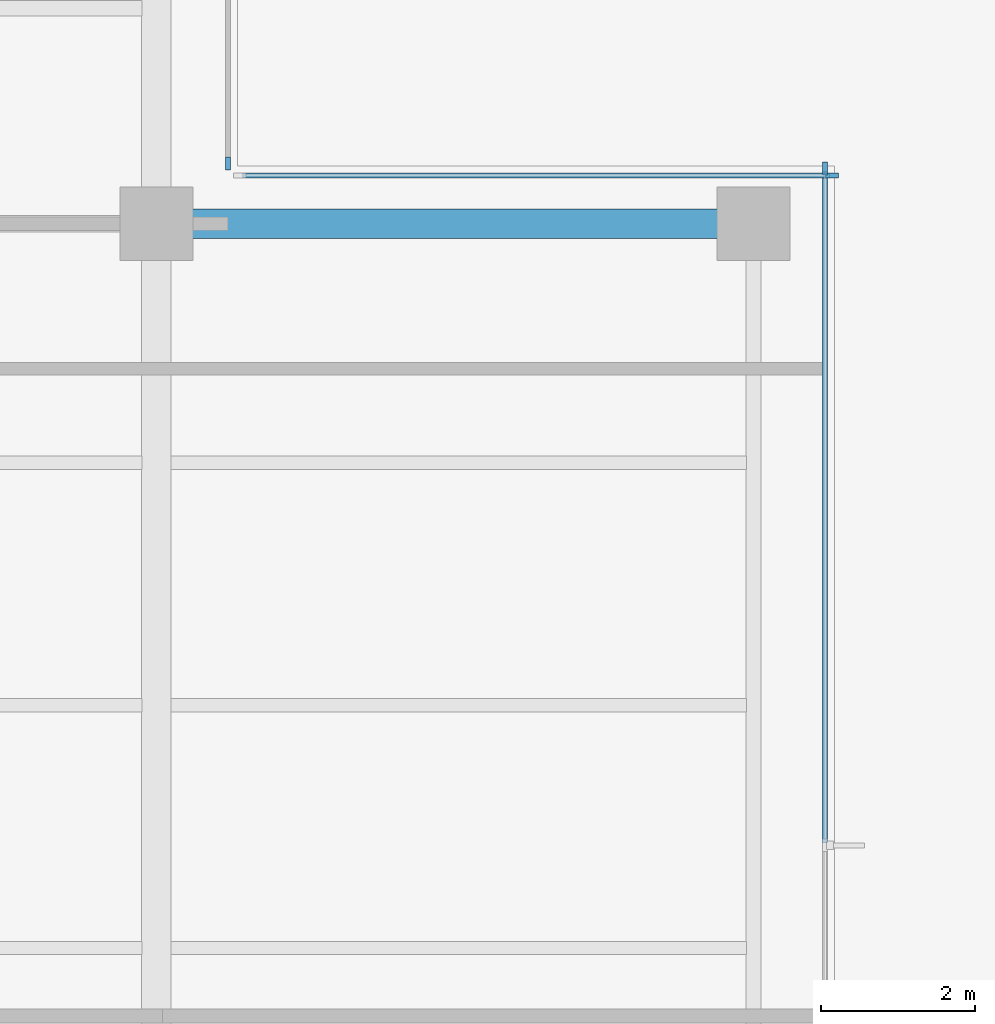
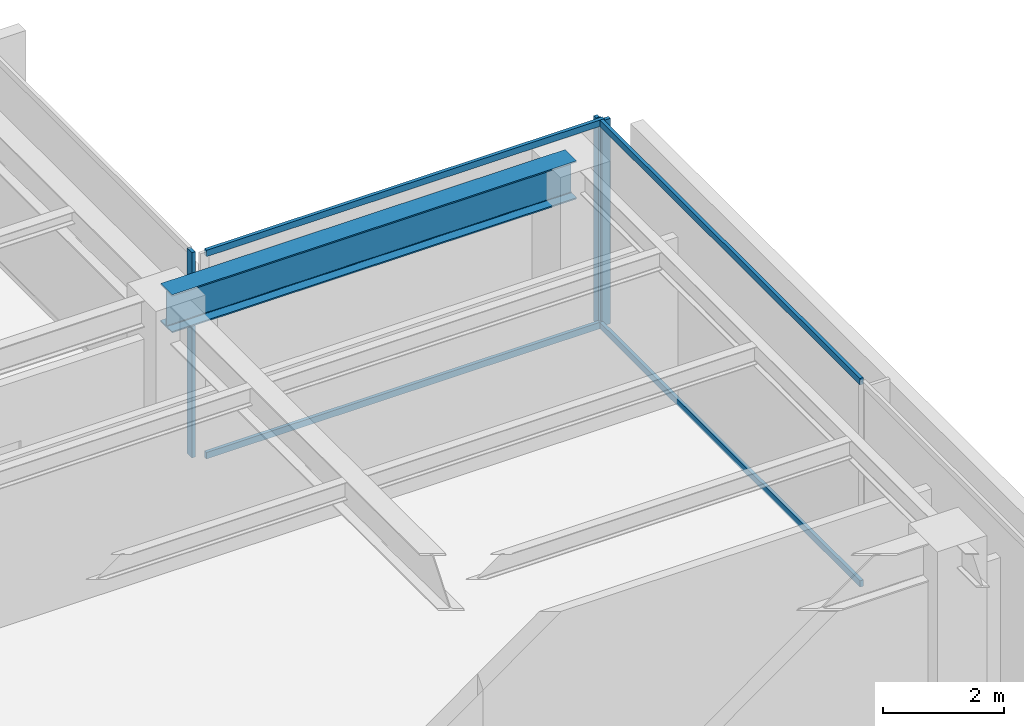
# One storey, part 4 of 14: 7 members, 1 beam, 3 elements without a shape of their own.
"""IFC4 building model written with IfcOpenShell, lengths in metres."""

from ifc_helpers import new_model, si_unit, direction, frame, origin, origin_2d, place, context, subcontext, project, spatial, rectangle, i_section, extrude, material, layer, layer_set, material_profile, profile_set, type_object, element, aggregate, save


model = new_model("IFC4")

# Units and contexts
model_context = context("Model", 3, precision=1e-05, world=origin(), true_north=direction((0.0, 1.0)))
body_context = subcontext(model_context, "Body", "Model", "MODEL_VIEW")
ifc_project = project(units=[si_unit("LENGTHUNIT", "METRE"), si_unit("AREAUNIT", "SQUARE_METRE"), si_unit("VOLUMEUNIT", "CUBIC_METRE"), si_unit("PLANEANGLEUNIT", "RADIAN"), si_unit("MASSUNIT", "GRAM", prefix="KILO")], contexts=[model_context])

# Site, building, storey
site_placement = place(None, origin())
site = spatial("IfcSite", under=ifc_project, at=site_placement, CompositionType="ELEMENT")
building_placement = place(site_placement, origin())
building = spatial("IfcBuilding", under=site, at=building_placement, Name="Qalmaran Belvedere Hotel", CompositionType="ELEMENT")
storey_placement = place(building_placement, frame((0.0, 0.0, 192.5)))
storey = spatial("IfcBuildingStorey", under=building, at=storey_placement, Name="L48", CompositionType="ELEMENT", Elevation=192.5)

# Beam
ifc_material_1 = material(Name="Steel S355JR", Category="steel")
ifc_material_profile_1 = material_profile(ifc_material_1, i_section(OverallWidth=0.381103515625, OverallDepth=0.77294921875, WebThickness=0.0166015625, FlangeThickness=0.027099609375, FilletRadius=0.02197265625, at=origin_2d()), Name="W760X257")
ifc_profile_set_1 = profile_set([ifc_material_profile_1], Name="Steel S355JR")
beam_type = type_object("IfcBeamType", Name="BM-PG4-W760X257", PredefinedType="USERDEFINED", material=ifc_profile_set_1)
beam_placement = place(storey_placement, frame((44.800048828125, 33.0, 3.7734375), z_axis=(1.0, 0.0, 0.0), x_axis=(0.0, 1.0, 0.0)))
element("IfcBeam", 1, at=beam_placement, inside=storey, type_object=beam_type, Name="L48 East Wing Girder 27", ObjectType="GIRDER", PredefinedType="USERDEFINED", context=body_context, shape_type="SweptSolid", body=[
    extrude(i_section(OverallWidth=0.381103515625, OverallDepth=0.77294921875, WebThickness=0.0166015625, FlangeThickness=0.027099609375, FilletRadius=0.02197265625, at=origin_2d()), origin(), (0.0, 0.0, 1.0), 7.75),
])

# Curtain wall, member
ifc_material_2 = material(Name="Anodised Bronze Aluminium", Category="aluminium")
ifc_layer = layer(ifc_material_2, 0.18994140625, Name="Anodised Bronze Aluminium")
ifc_layer_set = layer_set([ifc_layer], Name="Anodised Bronze Aluminium")
curtain_wall_type = type_object("IfcCurtainWallType", Name="CW5-TOWER-UPPER", PredefinedType="NOTDEFINED", material=ifc_layer_set)
curtain_wall_1_placement = place(storey_placement, origin())
curtain_wall_1 = element("IfcCurtainWall", 2, at=curtain_wall_1_placement, inside=storey, type_object=curtain_wall_type, Name="L48 Curtain Wall CW5", PredefinedType="NOTDEFINED")
ifc_material_profile_2 = material_profile(ifc_material_2, rectangle(XDim=0.06494140625, YDim=0.1650390625, at=origin_2d()), Name="CWM65X165")
ifc_profile_set_2 = profile_set([ifc_material_profile_2], Name="Anodised Bronze Aluminium")
member_type_1 = type_object("IfcMemberType", Name="CWM-65X165", PredefinedType="MULLION", material=ifc_profile_set_2)
member_1_placement = place(storey_placement, frame((53.47998046875, 33.717529296875, 0.0), z_axis=(0.0, 0.0, 1.0), x_axis=(-1.0, 0.0, 0.0)))
member_1 = element("IfcMember", 3, at=member_1_placement, type_object=member_type_1, Name="CW5 mullion 4", PredefinedType="MULLION", context=body_context, shape_type="SweptSolid", body=[
    extrude(rectangle(XDim=0.06494140625, YDim=0.1650390625, at=origin_2d()), origin(), (0.0, 0.0, 1.0), 4.159912109375),
])

curtain_wall_2_placement = place(storey_placement, origin())
curtain_wall_2 = element("IfcCurtainWall", 4, at=curtain_wall_2_placement, inside=storey, type_object=curtain_wall_type, Name="L48 Curtain Wall CW5", PredefinedType="NOTDEFINED")
member_2_placement = place(storey_placement, frame((53.5673828125, 33.6298828125, 0.0), z_axis=(0.0, 0.0, 1.0), x_axis=(0.0, -1.0, 0.0)))
member_2 = element("IfcMember", 5, at=member_2_placement, type_object=member_type_1, Name="CW5 mullion 1", PredefinedType="MULLION", context=body_context, shape_type="SweptSolid", body=[
    extrude(rectangle(XDim=0.06494140625, YDim=0.1650390625, at=origin_2d()), origin(), (0.0, 0.0, 1.0), 4.159912109375),
])

curtain_wall_3_placement = place(storey_placement, origin())
curtain_wall_3 = element("IfcCurtainWall", 6, at=curtain_wall_3_placement, inside=storey, type_object=curtain_wall_type, Name="L48 Curtain Wall CW5", PredefinedType="NOTDEFINED")
member_3_placement = place(storey_placement, frame((45.72998046875, 33.782470703125, 0.0), z_axis=(0.0, 0.0, 1.0), x_axis=(-1.0, 0.0, 0.0)))
member_3 = element("IfcMember", 7, at=member_3_placement, type_object=member_type_1, Name="CW5 mullion 1", PredefinedType="MULLION", context=body_context, shape_type="SweptSolid", body=[
    extrude(rectangle(XDim=0.06494140625, YDim=0.1650390625, at=origin_2d()), origin(), (0.0, 0.0, 1.0), 4.159912109375),
])
aggregate(curtain_wall_3, [member_3])

# Member
ifc_material_profile_3 = material_profile(ifc_material_2, rectangle(XDim=0.06494140625, YDim=0.1298828125, at=origin_2d()), Name="CWT65X130")
ifc_profile_set_3 = profile_set([ifc_material_profile_3], Name="Anodised Bronze Aluminium")
member_type_2 = type_object("IfcMemberType", Name="CWT-65X130", PredefinedType="USERDEFINED", material=ifc_profile_set_3)
member_4_placement = place(storey_placement, frame((53.47998046875, 24.9658203125, 0.032470703125), z_axis=(0.0, 1.0, 0.0), x_axis=(-1.0, 0.0, 0.0)))
member_4 = element("IfcMember", 8, at=member_4_placement, type_object=member_type_2, Name="CW5 transom 3.1", ObjectType="TRANSOM", PredefinedType="USERDEFINED", context=body_context, shape_type="SweptSolid", body=[
    extrude(rectangle(XDim=0.06494140625, YDim=0.1298828125, at=origin_2d()), origin(), (0.0, 0.0, 1.0), 8.71923828125),
])

member_5_placement = place(storey_placement, frame((53.47998046875, 24.9658203125, 4.12744140625), z_axis=(0.0, 1.0, 0.0), x_axis=(-1.0, 0.0, 0.0)))
member_5 = element("IfcMember", 9, at=member_5_placement, type_object=member_type_2, Name="CW5 transom 3.2", ObjectType="TRANSOM", PredefinedType="USERDEFINED", context=body_context, shape_type="SweptSolid", body=[
    extrude(rectangle(XDim=0.06494140625, YDim=0.1298828125, at=origin_2d()), origin(), (0.0, 0.0, 1.0), 8.71923828125),
])

aggregate(curtain_wall_1, [member_1, member_4, member_5])

member_6_placement = place(storey_placement, frame((53.534912109375, 33.6298828125, 0.032470703125), z_axis=(-1.0, 0.0, 0.0), x_axis=(0.0, -1.0, 0.0)))
member_6 = element("IfcMember", 10, at=member_6_placement, type_object=member_type_2, Name="CW5 transom 1.1", ObjectType="TRANSOM", PredefinedType="USERDEFINED", context=body_context, shape_type="SweptSolid", body=[
    extrude(rectangle(XDim=0.06494140625, YDim=0.1298828125, at=origin_2d()), origin(), (0.0, 0.0, 1.0), 7.619873046875),
])

member_7_placement = place(storey_placement, frame((53.534912109375, 33.6298828125, 4.12744140625), z_axis=(-1.0, 0.0, 0.0), x_axis=(0.0, -1.0, 0.0)))
member_7 = element("IfcMember", 11, at=member_7_placement, type_object=member_type_2, Name="CW5 transom 1.2", ObjectType="TRANSOM", PredefinedType="USERDEFINED", context=body_context, shape_type="SweptSolid", body=[
    extrude(rectangle(XDim=0.06494140625, YDim=0.1298828125, at=origin_2d()), origin(), (0.0, 0.0, 1.0), 7.619873046875),
])

aggregate(curtain_wall_2, [member_2, member_6, member_7])

save(model, "model.ifc")
